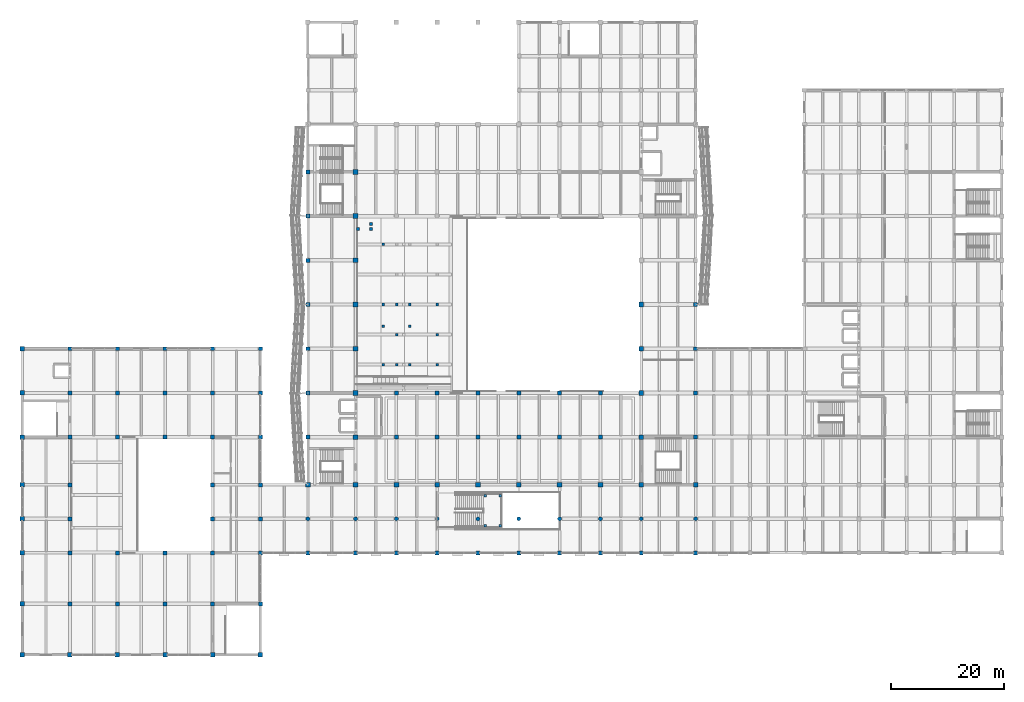
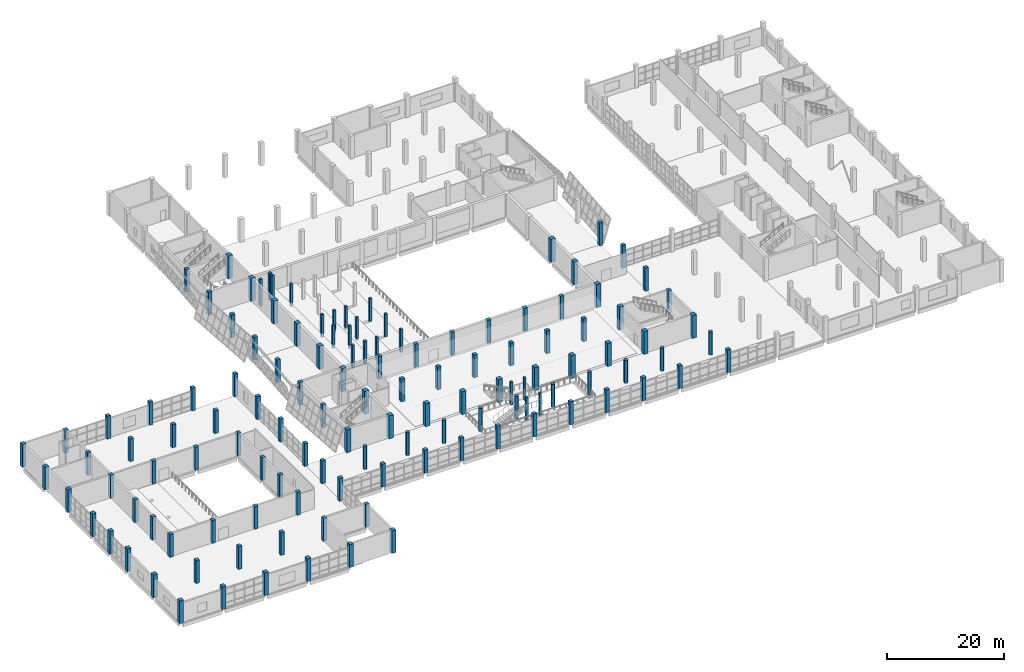
# One storey, part 1 of 91: 132 columns.
"""IFC4 building model written with IfcOpenShell, lengths in metres."""

from ifc_helpers import new_model, si_unit, direction, frame, origin, origin_2d, place, context, subcontext, project, spatial, rectangle, circle, extrude, material, material_profile, profile_set, type_object, element, save


model = new_model("IFC4")

# Units and contexts
model_context = context("Model", 3, precision=1e-05, world=origin(), true_north=direction((0.0, 1.0)))
body_context = subcontext(model_context, "Body", "Model", "MODEL_VIEW")
ifc_project = project(units=[si_unit("LENGTHUNIT", "METRE"), si_unit("AREAUNIT", "SQUARE_METRE"), si_unit("VOLUMEUNIT", "CUBIC_METRE"), si_unit("PLANEANGLEUNIT", "RADIAN"), si_unit("MASSUNIT", "GRAM", prefix="KILO")], contexts=[model_context])

# Site, building, storey
site_placement = place(None, origin())
site = spatial("IfcSite", under=ifc_project, at=site_placement, CompositionType="ELEMENT")
building_placement = place(site_placement, origin())
building = spatial("IfcBuilding", under=site, at=building_placement, Name="Pellamere Symphony Hall", CompositionType="ELEMENT")
storey_placement = place(building_placement, frame((0.0, 0.0, 5.39990234375)))
storey = spatial("IfcBuildingStorey", under=building, at=storey_placement, Name="L01", CompositionType="ELEMENT", Elevation=5.39990234375)

# Columns
ifc_material_1 = material(Name="Concrete 40 MPa", Category="concrete")
ifc_material_profile_1 = material_profile(ifc_material_1, circle(Radius=0.35009765625, at=origin_2d()), Name="RCCOL D700")
ifc_profile_set_1 = profile_set([ifc_material_profile_1], Name="Concrete 40 MPa")
column_type_1 = type_object("IfcColumnType", Name="RC Circular Foyer Column CC-16 D700", PredefinedType="COLUMN", material=ifc_profile_set_1)
for number, where, z_axis, x_axis, name in (
    (1, (50.39990234375, 24.0, 0.0), (0.0, 0.0, 1.0), (1.0, 0.0, 0.0), "Column C-7D (L01)"),
    (2, (58.800048828125, 24.0, 0.0), (0.0, 0.0, 1.0), (1.0, 0.0, 0.0), "Column C-8D (L01)"),
    (3, (66.0, 24.0, 0.0), (0.0, 0.0, 1.0), (1.0, 0.0, 0.0), "Column C-9D (L01)"),
    (4, (73.199951171875, 24.0, 0.0), (0.0, 0.0, 1.0), (1.0, 0.0, 0.0), "Column C-10D (L01)"),
    (5, (80.39990234375, 24.0, 0.0), (0.0, 0.0, 1.0), (1.0, 0.0, 0.0), "Column C-11D (L01)"),
    (6, (87.60009765625, 24.0, 0.0), (0.0, 0.0, 1.0), (1.0, 0.0, 0.0), "Column C-12D (L01)"),
    (7, (94.800048828125, 24.0, 0.0), (0.0, 0.0, 1.0), (1.0, 0.0, 0.0), "Column C-13D (L01)"),
    (8, (102.0, 24.0, 0.0), (0.0, 0.0, 1.0), (1.0, 0.0, 0.0), "Column C-14D (L01)"),
    (9, (109.199951171875, 24.0, 0.0), (0.0, 0.0, 1.0), (1.0, 0.0, 0.0), "Column C-15D (L01)"),
    (10, (118.800048828125, 24.0, 0.0), (0.0, 0.0, 1.0), (1.0, 0.0, 0.0), "Column C-16D (L01)"),
):
    element("IfcColumn", number, at=place(storey_placement, frame(where, z_axis=z_axis, x_axis=x_axis)), inside=storey, type_object=column_type_1, Name=name, PredefinedType="COLUMN", context=body_context, shape_type="SweptSolid", body=[
        extrude(circle(Radius=0.35009765625, at=origin_2d()), origin(), (0.0, 0.0, 1.0), 4.800048828125),
    ])
ifc_material_2 = material(Name="Concrete 50 MPa", Category="concrete")
ifc_material_profile_2 = material_profile(ifc_material_2, rectangle(XDim=0.85009765625, YDim=0.85009765625, at=origin_2d()), Name="RC 850x850")
ifc_profile_set_2 = profile_set([ifc_material_profile_2], Name="Concrete 50 MPa")
column_type_2 = type_object("IfcColumnType", Name="RC Column CC-03 850x850", PredefinedType="COLUMN", material=ifc_profile_set_2)
for number, where, z_axis, x_axis, name in (
    (11, (50.39990234375, 30.0, 0.0), (0.0, 0.0, 1.0), (1.0, 0.0, 0.0), "Column C-7E (L01)"),
    (12, (58.800048828125, 30.0, 0.0), (0.0, 0.0, 1.0), (1.0, 0.0, 0.0), "Column C-8E (L01)"),
    (13, (58.800048828125, 38.39990234375, 0.0), (0.0, 0.0, 1.0), (1.0, 0.0, 0.0), "Column C-8F (L01)"),
    (14, (58.800048828125, 46.199951171875, 0.0), (0.0, 0.0, 1.0), (1.0, 0.0, 0.0), "Column C-8G (L01)"),
    (15, (58.800048828125, 54.0, 0.0), (0.0, 0.0, 1.0), (1.0, 0.0, 0.0), "Column C-8H (L01)"),
    (16, (58.800048828125, 61.800048828125, 0.0), (0.0, 0.0, 1.0), (1.0, 0.0, 0.0), "Column C-8I (L01)"),
    (17, (58.800048828125, 69.60009765625, 0.0), (0.0, 0.0, 1.0), (1.0, 0.0, 0.0), "Column C-8J (L01)"),
    (18, (58.800048828125, 77.39990234375, 0.0), (0.0, 0.0, 1.0), (1.0, 0.0, 0.0), "Column C-8K (L01)"),
    (19, (58.800048828125, 85.199951171875, 0.0), (0.0, 0.0, 1.0), (1.0, 0.0, 0.0), "Column C-8L (L01)"),
    (20, (66.0, 30.0, 0.0), (0.0, 0.0, 1.0), (1.0, 0.0, 0.0), "Column C-9E (L01)"),
    (21, (73.199951171875, 30.0, 0.0), (0.0, 0.0, 1.0), (1.0, 0.0, 0.0), "Column C-10E (L01)"),
    (22, (80.39990234375, 30.0, 0.0), (0.0, 0.0, 1.0), (1.0, 0.0, 0.0), "Column C-11E (L01)"),
    (23, (87.60009765625, 30.0, 0.0), (0.0, 0.0, 1.0), (1.0, 0.0, 0.0), "Column C-12E (L01)"),
    (24, (94.800048828125, 30.0, 0.0), (0.0, 0.0, 1.0), (1.0, 0.0, 0.0), "Column C-13E (L01)"),
    (25, (102.0, 30.0, 0.0), (0.0, 0.0, 1.0), (1.0, 0.0, 0.0), "Column C-14E (L01)"),
    (26, (109.199951171875, 30.0, 0.0), (0.0, 0.0, 1.0), (1.0, 0.0, 0.0), "Column C-15E (L01)"),
    (27, (109.199951171875, 38.39990234375, 0.0), (0.0, 0.0, 1.0), (1.0, 0.0, 0.0), "Column C-15F (L01)"),
    (28, (109.199951171875, 46.199951171875, 0.0), (0.0, 0.0, 1.0), (1.0, 0.0, 0.0), "Column C-15G (L01)"),
    (29, (109.199951171875, 54.0, 0.0), (0.0, 0.0, 1.0), (1.0, 0.0, 0.0), "Column C-15H (L01)"),
    (30, (109.199951171875, 61.800048828125, 0.0), (0.0, 0.0, 1.0), (1.0, 0.0, 0.0), "Column C-15I (L01)"),
    (31, (118.800048828125, 30.0, 0.0), (0.0, 0.0, 1.0), (1.0, 0.0, 0.0), "Column C-16E (L01)"),
):
    element("IfcColumn", number, at=place(storey_placement, frame(where, z_axis=z_axis, x_axis=x_axis)), inside=storey, type_object=column_type_2, Name=name, PredefinedType="COLUMN", context=body_context, shape_type="SweptSolid", body=[
        extrude(rectangle(XDim=0.85009765625, YDim=0.85009765625, at=origin_2d()), origin(), (0.0, 0.0, 1.0), 4.800048828125),
    ])
ifc_material_profile_3 = material_profile(ifc_material_1, rectangle(XDim=0.699951171875, YDim=0.699951171875, at=origin_2d()), Name="RC 700x700")
ifc_profile_set_3 = profile_set([ifc_material_profile_3], Name="Concrete 40 MPa")
column_type_3 = type_object("IfcColumnType", Name="RC Column CC-06 700x700", PredefinedType="COLUMN", material=ifc_profile_set_3)
for number, where, z_axis, x_axis, name in (
    (32, (8.39990234375, 9.0, 0.0), (0.0, 0.0, 1.0), (1.0, 0.0, 0.0), "Column C-2B (L01)"),
    (33, (8.39990234375, 18.0, 0.0), (0.0, 0.0, 1.0), (1.0, 0.0, 0.0), "Column C-2C (L01)"),
    (34, (8.39990234375, 24.0, 0.0), (0.0, 0.0, 1.0), (1.0, 0.0, 0.0), "Column C-2D (L01)"),
    (35, (8.39990234375, 30.0, 0.0), (0.0, 0.0, 1.0), (1.0, 0.0, 0.0), "Column C-2E (L01)"),
    (36, (8.39990234375, 38.39990234375, 0.0), (0.0, 0.0, 1.0), (1.0, 0.0, 0.0), "Column C-2F (L01)"),
    (37, (8.39990234375, 46.199951171875, 0.0), (0.0, 0.0, 1.0), (1.0, 0.0, 0.0), "Column C-2G (L01)"),
    (38, (8.39990234375, 54.0, 0.0), (0.0, 0.0, 1.0), (1.0, 0.0, 0.0), "Column C-2H (L01)"),
    (39, (16.800048828125, 9.0, 0.0), (0.0, 0.0, 1.0), (1.0, 0.0, 0.0), "Column C-3B (L01)"),
    (40, (16.800048828125, 18.0, 0.0), (0.0, 0.0, 1.0), (1.0, 0.0, 0.0), "Column C-3C (L01)"),
    (41, (16.800048828125, 38.39990234375, 0.0), (0.0, 0.0, 1.0), (1.0, 0.0, 0.0), "Column C-3F (L01)"),
    (42, (16.800048828125, 46.199951171875, 0.0), (0.0, 0.0, 1.0), (1.0, 0.0, 0.0), "Column C-3G (L01)"),
    (43, (16.800048828125, 54.0, 0.0), (0.0, 0.0, 1.0), (1.0, 0.0, 0.0), "Column C-3H (L01)"),
    (44, (25.199951171875, 9.0, 0.0), (0.0, 0.0, 1.0), (1.0, 0.0, 0.0), "Column C-4B (L01)"),
    (45, (25.199951171875, 18.0, 0.0), (0.0, 0.0, 1.0), (1.0, 0.0, 0.0), "Column C-4C (L01)"),
    (46, (25.199951171875, 38.39990234375, 0.0), (0.0, 0.0, 1.0), (1.0, 0.0, 0.0), "Column C-4F (L01)"),
    (47, (25.199951171875, 46.199951171875, 0.0), (0.0, 0.0, 1.0), (1.0, 0.0, 0.0), "Column C-4G (L01)"),
    (48, (25.199951171875, 54.0, 0.0), (0.0, 0.0, 1.0), (1.0, 0.0, 0.0), "Column C-4H (L01)"),
    (49, (33.60009765625, 9.0, 0.0), (0.0, 0.0, 1.0), (1.0, 0.0, 0.0), "Column C-5B (L01)"),
    (50, (33.60009765625, 18.0, 0.0), (0.0, 0.0, 1.0), (1.0, 0.0, 0.0), "Column C-5C (L01)"),
    (51, (33.60009765625, 24.0, 0.0), (0.0, 0.0, 1.0), (1.0, 0.0, 0.0), "Column C-5D (L01)"),
    (52, (33.60009765625, 30.0, 0.0), (0.0, 0.0, 1.0), (1.0, 0.0, 0.0), "Column C-5E (L01)"),
    (53, (33.60009765625, 38.39990234375, 0.0), (0.0, 0.0, 1.0), (1.0, 0.0, 0.0), "Column C-5F (L01)"),
    (54, (33.60009765625, 46.199951171875, 0.0), (0.0, 0.0, 1.0), (1.0, 0.0, 0.0), "Column C-5G (L01)"),
    (55, (33.60009765625, 54.0, 0.0), (0.0, 0.0, 1.0), (1.0, 0.0, 0.0), "Column C-5H (L01)"),
    (56, (42.0, 9.0, 0.0), (0.0, 0.0, 1.0), (1.0, 0.0, 0.0), "Column C-6B (L01)"),
    (57, (42.0, 18.0, 0.0), (0.0, 0.0, 1.0), (1.0, 0.0, 0.0), "Column C-6C (L01)"),
    (58, (42.0, 24.0, 0.0), (0.0, 0.0, 1.0), (1.0, 0.0, 0.0), "Column C-6D (L01)"),
    (59, (42.0, 30.0, 0.0), (0.0, 0.0, 1.0), (1.0, 0.0, 0.0), "Column C-6E (L01)"),
    (60, (42.0, 38.39990234375, 0.0), (0.0, 0.0, 1.0), (1.0, 0.0, 0.0), "Column C-6F (L01)"),
    (61, (42.0, 46.199951171875, 0.0), (0.0, 0.0, 1.0), (1.0, 0.0, 0.0), "Column C-6G (L01)"),
    (62, (42.0, 54.0, 0.0), (0.0, 0.0, 1.0), (1.0, 0.0, 0.0), "Column C-6H (L01)"),
    (63, (50.39990234375, 18.0, 0.0), (0.0, 0.0, 1.0), (1.0, 0.0, 0.0), "Column C-7C (L01)"),
    (64, (50.39990234375, 38.39990234375, 0.0), (0.0, 0.0, 1.0), (1.0, 0.0, 0.0), "Column C-7F (L01)"),
    (65, (50.39990234375, 46.199951171875, 0.0), (0.0, 0.0, 1.0), (1.0, 0.0, 0.0), "Column C-7G (L01)"),
    (66, (50.39990234375, 54.0, 0.0), (0.0, 0.0, 1.0), (1.0, 0.0, 0.0), "Column C-7H (L01)"),
    (67, (50.39990234375, 61.800048828125, 0.0), (0.0, 0.0, 1.0), (1.0, 0.0, 0.0), "Column C-7I (L01)"),
    (68, (50.39990234375, 69.60009765625, 0.0), (0.0, 0.0, 1.0), (1.0, 0.0, 0.0), "Column C-7J (L01)"),
    (69, (50.39990234375, 77.39990234375, 0.0), (0.0, 0.0, 1.0), (1.0, 0.0, 0.0), "Column C-7K (L01)"),
    (70, (50.39990234375, 85.199951171875, 0.0), (0.0, 0.0, 1.0), (1.0, 0.0, 0.0), "Column C-7L (L01)"),
    (71, (58.800048828125, 18.0, 0.0), (0.0, 0.0, 1.0), (1.0, 0.0, 0.0), "Column C-8C (L01)"),
    (72, (66.0, 18.0, 0.0), (0.0, 0.0, 1.0), (1.0, 0.0, 0.0), "Column C-9C (L01)"),
    (73, (66.0, 38.39990234375, 0.0), (0.0, 0.0, 1.0), (1.0, 0.0, 0.0), "Column C-9F (L01)"),
    (74, (66.0, 46.199951171875, 0.0), (0.0, 0.0, 1.0), (1.0, 0.0, 0.0), "Column C-9G (L01)"),
    (75, (73.199951171875, 18.0, 0.0), (0.0, 0.0, 1.0), (1.0, 0.0, 0.0), "Column C-10C (L01)"),
    (76, (73.199951171875, 38.39990234375, 0.0), (0.0, 0.0, 1.0), (1.0, 0.0, 0.0), "Column C-10F (L01)"),
    (77, (73.199951171875, 46.199951171875, 0.0), (0.0, 0.0, 1.0), (1.0, 0.0, 0.0), "Column C-10G (L01)"),
    (78, (80.39990234375, 18.0, 0.0), (0.0, 0.0, 1.0), (1.0, 0.0, 0.0), "Column C-11C (L01)"),
    (79, (80.39990234375, 38.39990234375, 0.0), (0.0, 0.0, 1.0), (1.0, 0.0, 0.0), "Column C-11F (L01)"),
    (80, (80.39990234375, 46.199951171875, 0.0), (0.0, 0.0, 1.0), (1.0, 0.0, 0.0), "Column C-11G (L01)"),
    (81, (87.60009765625, 18.0, 0.0), (0.0, 0.0, 1.0), (1.0, 0.0, 0.0), "Column C-12C (L01)"),
    (82, (87.60009765625, 38.39990234375, 0.0), (0.0, 0.0, 1.0), (1.0, 0.0, 0.0), "Column C-12F (L01)"),
    (83, (87.60009765625, 46.199951171875, 0.0), (0.0, 0.0, 1.0), (1.0, 0.0, 0.0), "Column C-12G (L01)"),
    (84, (94.800048828125, 18.0, 0.0), (0.0, 0.0, 1.0), (1.0, 0.0, 0.0), "Column C-13C (L01)"),
    (85, (94.800048828125, 38.39990234375, 0.0), (0.0, 0.0, 1.0), (1.0, 0.0, 0.0), "Column C-13F (L01)"),
    (86, (94.800048828125, 46.199951171875, 0.0), (0.0, 0.0, 1.0), (1.0, 0.0, 0.0), "Column C-13G (L01)"),
    (87, (102.0, 18.0, 0.0), (0.0, 0.0, 1.0), (1.0, 0.0, 0.0), "Column C-14C (L01)"),
    (88, (102.0, 38.39990234375, 0.0), (0.0, 0.0, 1.0), (1.0, 0.0, 0.0), "Column C-14F (L01)"),
    (89, (102.0, 46.199951171875, 0.0), (0.0, 0.0, 1.0), (1.0, 0.0, 0.0), "Column C-14G (L01)"),
    (90, (109.199951171875, 18.0, 0.0), (0.0, 0.0, 1.0), (1.0, 0.0, 0.0), "Column C-15C (L01)"),
    (91, (118.800048828125, 18.0, 0.0), (0.0, 0.0, 1.0), (1.0, 0.0, 0.0), "Column C-16C (L01)"),
    (92, (118.800048828125, 38.39990234375, 0.0), (0.0, 0.0, 1.0), (1.0, 0.0, 0.0), "Column C-16F (L01)"),
    (93, (118.800048828125, 46.199951171875, 0.0), (0.0, 0.0, 1.0), (1.0, 0.0, 0.0), "Column C-16G (L01)"),
    (94, (118.800048828125, 54.0, 0.0), (0.0, 0.0, 1.0), (1.0, 0.0, 0.0), "Column C-16H (L01)"),
    (95, (118.800048828125, 61.800048828125, 0.0), (0.0, 0.0, 1.0), (1.0, 0.0, 0.0), "Column C-16I (L01)"),
):
    element("IfcColumn", number, at=place(storey_placement, frame(where, z_axis=z_axis, x_axis=x_axis)), inside=storey, type_object=column_type_3, Name=name, PredefinedType="COLUMN", context=body_context, shape_type="SweptSolid", body=[
        extrude(rectangle(XDim=0.699951171875, YDim=0.699951171875, at=origin_2d()), origin(), (0.0, 0.0, 1.0), 4.800048828125),
    ])
ifc_material_3 = material(Name="Concrete 35 MPa", Category="concrete")
ifc_material_profile_4 = material_profile(ifc_material_3, rectangle(XDim=0.5, YDim=0.5, at=origin_2d()), Name="RC 500x500")
ifc_profile_set_4 = profile_set([ifc_material_profile_4], Name="Concrete 35 MPa")
column_type_4 = type_object("IfcColumnType", Name="RC Column CC-10 500x500", PredefinedType="COLUMN", material=ifc_profile_set_4)
for number, where, z_axis, x_axis, name in (
    (96, (59.25, 75.14990234375, 0.0), (0.0, 0.0, 1.0), (1.0, 0.0, 0.0), "Vomitory VOM-04 Arrival Platform Column 1 (L01)"),
    (97, (61.550048828125, 75.14990234375, 0.0), (0.0, 0.0, 1.0), (1.0, 0.0, 0.0), "Vomitory VOM-04 Arrival Platform Column 2 (L01)"),
    (98, (61.550048828125, 76.0, 0.0), (0.0, 0.0, 1.0), (1.0, 0.0, 0.0), "Vomitory VOM-04 Arrival Platform Column 3 (L01)"),
):
    element("IfcColumn", number, at=place(storey_placement, frame(where, z_axis=z_axis, x_axis=x_axis)), inside=storey, type_object=column_type_4, Name=name, PredefinedType="COLUMN", context=body_context, shape_type="SweptSolid", body=[
        extrude(rectangle(XDim=0.5, YDim=0.5, at=origin_2d()), origin(), (0.0, 0.0, 1.0), 5.630126953125),
    ])
ifc_material_profile_5 = material_profile(ifc_material_1, rectangle(XDim=0.449951171875, YDim=0.449951171875, at=origin_2d()), Name="RC 450x450")
ifc_profile_set_5 = profile_set([ifc_material_profile_5], Name="Concrete 40 MPa")
column_type_5 = type_object("IfcColumnType", Name="RC Column CC-18 450x450", PredefinedType="COLUMN", material=ifc_profile_set_5)
for number, where, z_axis, x_axis, name in (
    (99, (63.675048828125, 51.199951171875, 0.0), (0.0, 0.0, 1.0), (1.0, 0.0, 0.0), "Under-Tier Raker Support Column RKC-021 (L01)"),
    (100, (63.675048828125, 58.0, 0.0), (0.0, 0.0, 1.0), (1.0, 0.0, 0.0), "Under-Tier Raker Support Column RKC-025 (L01)"),
    (101, (63.675048828125, 61.800048828125, 0.0), (0.0, 0.0, 1.0), (1.0, 0.0, 0.0), "Under-Tier Raker Support Column RKC-029 (L01)"),
    (102, (63.675048828125, 72.39990234375, 0.0), (0.0, 0.0, 1.0), (1.0, 0.0, 0.0), "Under-Tier Raker Support Column RKC-033 (L01)"),
    (103, (66.074951171875, 51.199951171875, 0.0), (0.0, 0.0, 1.0), (1.0, 0.0, 0.0), "Under-Tier Raker Support Column RKC-037 (L01)"),
    (104, (66.074951171875, 56.5, 0.0), (0.0, 0.0, 1.0), (1.0, 0.0, 0.0), "Under-Tier Raker Support Column RKC-041 (L01)"),
    (105, (66.074951171875, 61.800048828125, 0.0), (0.0, 0.0, 1.0), (1.0, 0.0, 0.0), "Under-Tier Raker Support Column RKC-045 (L01)"),
    (106, (68.39990234375, 51.199951171875, 0.0), (0.0, 0.0, 1.0), (1.0, 0.0, 0.0), "Under-Tier Raker Support Column RKC-078 (L01)"),
    (107, (68.39990234375, 58.0, 0.0), (0.0, 0.0, 1.0), (1.0, 0.0, 0.0), "Under-Tier Raker Support Column RKC-082 (L01)"),
    (108, (68.39990234375, 61.800048828125, 0.0), (0.0, 0.0, 1.0), (1.0, 0.0, 0.0), "Under-Tier Raker Support Column RKC-086 (L01)"),
    (109, (73.199951171875, 51.199951171875, 0.0), (0.0, 0.0, 1.0), (1.0, 0.0, 0.0), "Under-Tier Raker Support Column RKC-094 (L01)"),
    (110, (73.199951171875, 56.5, 0.0), (0.0, 0.0, 1.0), (1.0, 0.0, 0.0), "Under-Tier Raker Support Column RKC-098 (L01)"),
    (111, (73.199951171875, 61.800048828125, 0.0), (0.0, 0.0, 1.0), (1.0, 0.0, 0.0), "Under-Tier Raker Support Column RKC-102 (L01)"),
):
    element("IfcColumn", number, at=place(storey_placement, frame(where, z_axis=z_axis, x_axis=x_axis)), inside=storey, type_object=column_type_5, Name=name, PredefinedType="COLUMN", context=body_context, shape_type="SweptSolid", body=[
        extrude(rectangle(XDim=0.449951171875, YDim=0.449951171875, at=origin_2d()), origin(), (0.0, 0.0, 1.0), 4.800048828125),
    ])
ifc_material_profile_6 = material_profile(ifc_material_1, rectangle(XDim=0.419921875, YDim=0.419921875, at=origin_2d()), Name="RC 420x420")
ifc_profile_set_6 = profile_set([ifc_material_profile_6], Name="Concrete 40 MPa")
column_type_6 = type_object("IfcColumnType", Name="RC Column CC-19 420x420", PredefinedType="COLUMN", material=ifc_profile_set_6)
column_1_placement = place(storey_placement, frame((81.64990234375, 22.75, 0.0), z_axis=(0.0, 0.0, 1.0), x_axis=(1.0, 0.0, 0.0)))
element("IfcColumn", 112, at=column_1_placement, inside=storey, type_object=column_type_6, Name="Feature Stair Atrium Support Column 1 (L01)", PredefinedType="COLUMN", context=body_context, shape_type="SweptSolid", body=[
    extrude(rectangle(XDim=0.419921875, YDim=0.419921875, at=origin_2d()), origin(), (0.0, 0.0, 1.0), 2.16015625),
])
column_2_placement = place(storey_placement, frame((81.64990234375, 22.75, 2.16015625), z_axis=(0.0, 0.0, 1.0), x_axis=(1.0, 0.0, 0.0)))
element("IfcColumn", 113, at=column_2_placement, inside=storey, type_object=column_type_6, Name="Feature Stair Atrium Support Column 1 (L01B)", PredefinedType="COLUMN", context=body_context, shape_type="SweptSolid", body=[
    extrude(rectangle(XDim=0.419921875, YDim=0.419921875, at=origin_2d()), origin(), (0.0, 0.0, 1.0), 2.639892578125),
])
column_3_placement = place(storey_placement, frame((84.300048828125, 22.75, 0.0), z_axis=(0.0, 0.0, 1.0), x_axis=(1.0, 0.0, 0.0)))
element("IfcColumn", 114, at=column_3_placement, inside=storey, type_object=column_type_6, Name="Feature Stair Atrium Support Column 2 (L01)", PredefinedType="COLUMN", context=body_context, shape_type="SweptSolid", body=[
    extrude(rectangle(XDim=0.419921875, YDim=0.419921875, at=origin_2d()), origin(), (0.0, 0.0, 1.0), 2.16015625),
])
column_4_placement = place(storey_placement, frame((84.300048828125, 22.75, 2.16015625), z_axis=(0.0, 0.0, 1.0), x_axis=(1.0, 0.0, 0.0)))
element("IfcColumn", 115, at=column_4_placement, inside=storey, type_object=column_type_6, Name="Feature Stair Atrium Support Column 2 (L01B)", PredefinedType="COLUMN", context=body_context, shape_type="SweptSolid", body=[
    extrude(rectangle(XDim=0.419921875, YDim=0.419921875, at=origin_2d()), origin(), (0.0, 0.0, 1.0), 2.639892578125),
])
column_5_placement = place(storey_placement, frame((81.64990234375, 28.050048828125, 0.0), z_axis=(0.0, 0.0, 1.0), x_axis=(1.0, 0.0, 0.0)))
element("IfcColumn", 116, at=column_5_placement, inside=storey, type_object=column_type_6, Name="Feature Stair Atrium Support Column 3 (L01)", PredefinedType="COLUMN", context=body_context, shape_type="SweptSolid", body=[
    extrude(rectangle(XDim=0.419921875, YDim=0.419921875, at=origin_2d()), origin(), (0.0, 0.0, 1.0), 2.16015625),
])
column_6_placement = place(storey_placement, frame((81.64990234375, 28.050048828125, 2.16015625), z_axis=(0.0, 0.0, 1.0), x_axis=(1.0, 0.0, 0.0)))
element("IfcColumn", 117, at=column_6_placement, inside=storey, type_object=column_type_6, Name="Feature Stair Atrium Support Column 3 (L01B)", PredefinedType="COLUMN", context=body_context, shape_type="SweptSolid", body=[
    extrude(rectangle(XDim=0.419921875, YDim=0.419921875, at=origin_2d()), origin(), (0.0, 0.0, 1.0), 2.639892578125),
])
column_7_placement = place(storey_placement, frame((84.300048828125, 28.050048828125, 0.0), z_axis=(0.0, 0.0, 1.0), x_axis=(1.0, 0.0, 0.0)))
element("IfcColumn", 118, at=column_7_placement, inside=storey, type_object=column_type_6, Name="Feature Stair Atrium Support Column 4 (L01)", PredefinedType="COLUMN", context=body_context, shape_type="SweptSolid", body=[
    extrude(rectangle(XDim=0.419921875, YDim=0.419921875, at=origin_2d()), origin(), (0.0, 0.0, 1.0), 2.16015625),
])
column_8_placement = place(storey_placement, frame((84.300048828125, 28.050048828125, 2.16015625), z_axis=(0.0, 0.0, 1.0), x_axis=(1.0, 0.0, 0.0)))
element("IfcColumn", 119, at=column_8_placement, inside=storey, type_object=column_type_6, Name="Feature Stair Atrium Support Column 4 (L01B)", PredefinedType="COLUMN", context=body_context, shape_type="SweptSolid", body=[
    extrude(rectangle(XDim=0.419921875, YDim=0.419921875, at=origin_2d()), origin(), (0.0, 0.0, 1.0), 2.639892578125),
])
ifc_material_profile_7 = material_profile(ifc_material_1, rectangle(XDim=0.780029296875, YDim=0.780029296875, at=origin_2d()), Name="RC 780x780")
ifc_profile_set_7 = profile_set([ifc_material_profile_7], Name="Concrete 40 MPa")
column_type_7 = type_object("IfcColumnType", Name="RC Column CCP-03 780x780", PredefinedType="COLUMN", material=ifc_profile_set_7)
for number, where, z_axis, x_axis, name in (
    (120, (0.0, 0.0, 0.0), (0.0, 0.0, 1.0), (1.0, 0.0, 0.0), "Column C-1A (L01)"),
    (121, (0.0, 9.0, 0.0), (0.0, 0.0, 1.0), (1.0, 0.0, 0.0), "Column C-1B (L01)"),
    (122, (0.0, 18.0, 0.0), (0.0, 0.0, 1.0), (1.0, 0.0, 0.0), "Column C-1C (L01)"),
    (123, (0.0, 24.0, 0.0), (0.0, 0.0, 1.0), (1.0, 0.0, 0.0), "Column C-1D (L01)"),
    (124, (0.0, 30.0, 0.0), (0.0, 0.0, 1.0), (1.0, 0.0, 0.0), "Column C-1E (L01)"),
    (125, (0.0, 38.39990234375, 0.0), (0.0, 0.0, 1.0), (1.0, 0.0, 0.0), "Column C-1F (L01)"),
    (126, (0.0, 46.199951171875, 0.0), (0.0, 0.0, 1.0), (1.0, 0.0, 0.0), "Column C-1G (L01)"),
    (127, (0.0, 54.0, 0.0), (0.0, 0.0, 1.0), (1.0, 0.0, 0.0), "Column C-1H (L01)"),
    (128, (8.39990234375, 0.0, 0.0), (0.0, 0.0, 1.0), (1.0, 0.0, 0.0), "Column C-2A (L01)"),
    (129, (16.800048828125, 0.0, 0.0), (0.0, 0.0, 1.0), (1.0, 0.0, 0.0), "Column C-3A (L01)"),
    (130, (25.199951171875, 0.0, 0.0), (0.0, 0.0, 1.0), (1.0, 0.0, 0.0), "Column C-4A (L01)"),
    (131, (33.60009765625, 0.0, 0.0), (0.0, 0.0, 1.0), (1.0, 0.0, 0.0), "Column C-5A (L01)"),
    (132, (42.0, 0.0, 0.0), (0.0, 0.0, 1.0), (1.0, 0.0, 0.0), "Column C-6A (L01)"),
):
    element("IfcColumn", number, at=place(storey_placement, frame(where, z_axis=z_axis, x_axis=x_axis)), inside=storey, type_object=column_type_7, Name=name, PredefinedType="COLUMN", context=body_context, shape_type="SweptSolid", body=[
        extrude(rectangle(XDim=0.780029296875, YDim=0.780029296875, at=origin_2d()), origin(), (0.0, 0.0, 1.0), 4.800048828125),
    ])

save(model, "model.ifc")
